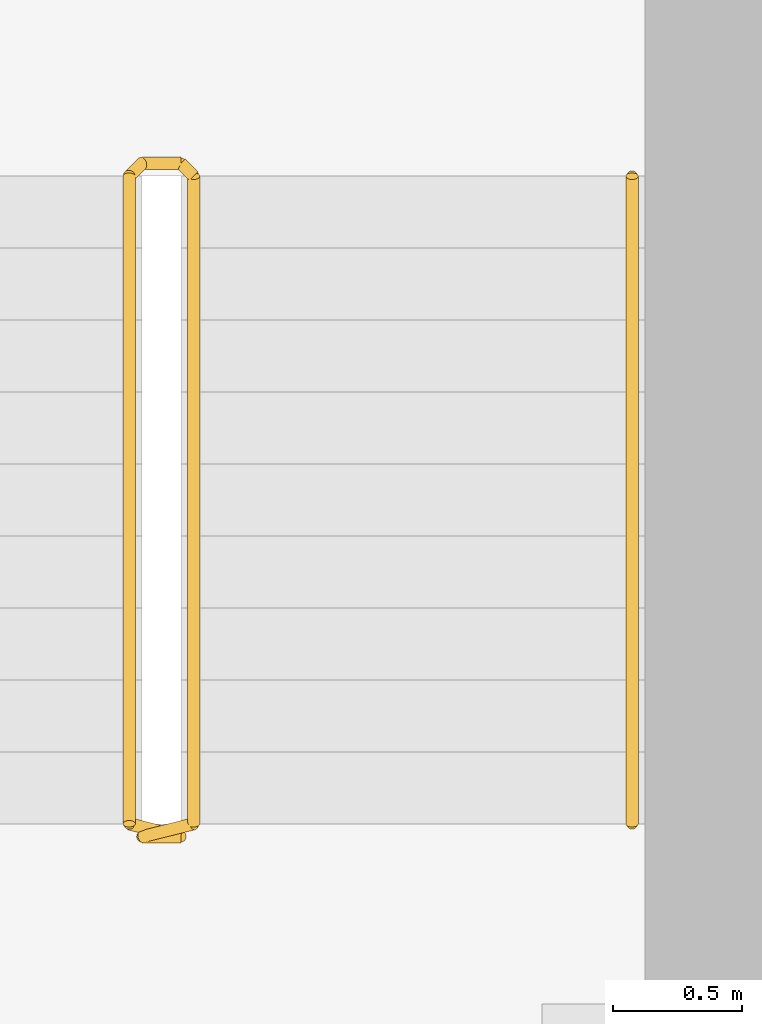
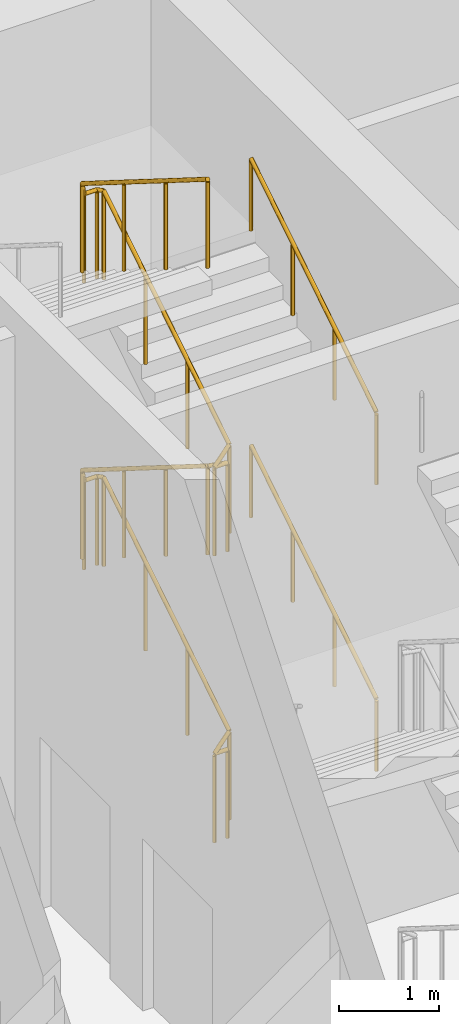
# One storey, part 17 of 17: 3 railings.
"""IFC4 building model written with IfcOpenShell, lengths in metres."""

from ifc_helpers import new_model, si_unit, direction, frame, origin, origin_2d, place, context, subcontext, project, spatial, circle, extrude, material, type_object, element, save


model = new_model("IFC4")

# Units and contexts
model_context = context("Model", 3, precision=1e-05, world=origin(), true_north=direction((0.0, 1.0)))
body_context = subcontext(model_context, "Body", "Model", "MODEL_VIEW")
ifc_project = project(units=[si_unit("LENGTHUNIT", "METRE"), si_unit("AREAUNIT", "SQUARE_METRE"), si_unit("VOLUMEUNIT", "CUBIC_METRE"), si_unit("PLANEANGLEUNIT", "RADIAN"), si_unit("MASSUNIT", "GRAM", prefix="KILO")], contexts=[model_context])

# Site, building, storey
site_placement = place(None, origin())
site = spatial("IfcSite", under=ifc_project, at=site_placement, CompositionType="ELEMENT")
building_placement = place(site_placement, origin())
building = spatial("IfcBuilding", under=site, at=building_placement, Name="Calabash Gate Tower", CompositionType="ELEMENT")
storey_placement = place(building_placement, frame((0.0, 0.0, 132.60009765625)))
storey = spatial("IfcBuildingStorey", under=building, at=storey_placement, Name="L31", CompositionType="ELEMENT", Elevation=132.60009765625)

# Railings
ifc_material_1 = material(Name="Black powder-coated steel balusters", Category="steel")
railing_type_1 = type_object("IfcRailingType", Name="Stair guard RL1100", PredefinedType="GUARDRAIL", material=ifc_material_1)
railing_placement = place(storey_placement, frame((10.300048828125, 13.902587890625, 0.0)))
element("IfcRailing", 1, at=railing_placement, inside=storey, type_object=railing_type_1, Name="L31 ST3 stair guard 1", PredefinedType="GUARDRAIL", context=body_context, shape_type="SweptSolid", body=[
    extrude(circle(Radius=0.02392578125, at=origin_2d()), frame((0.0, 0.0, 1.076171875), z_axis=(-1.0, 0.0, 0.0), x_axis=(0.0, -1.0, 0.0)), (0.0, 0.0, 1.0), 0.150146484375),
    extrude(circle(Radius=0.02392578125, at=origin_2d()), frame((-0.150146484375, 0.0, 1.076171875), z_axis=(0.740247989607, 0.185061997402, 0.64636287873), x_axis=(-0.242535625036, 0.970142500145, 0.0)), (0.0, 0.0, 1.0), 0.2705078125),
    extrude(circle(Radius=0.02392578125, at=origin_2d()), frame((0.050048828125, 0.050048828125, 1.2509765625), z_axis=(0.0, 0.84711333194, 0.531412272016), x_axis=(-1.0, 0.0, 0.0)), (0.0, 0.0, 1.0), 2.964111328125),
    extrude(circle(Radius=0.02392578125, at=origin_2d()), frame((0.050048828125, 2.56103515625, 2.826171875), z_axis=(-0.707106781187, 0.707106781187, 0.0), x_axis=(-0.707106781187, -0.707106781187, 0.0)), (0.0, 0.0, 1.0), 0.07080078125),
    extrude(circle(Radius=0.02392578125, at=origin_2d()), frame((0.0, 2.611083984375, 2.826171875), z_axis=(-1.0, 0.0, 0.0), x_axis=(0.0, -1.0, 0.0)), (0.0, 0.0, 1.0), 0.150146484375),
    extrude(circle(Radius=0.02392578125, at=origin_2d()), frame((-0.150146484375, 2.611083984375, 2.826171875), z_axis=(-0.264179342666, -0.265474339444, 0.927217692888), x_axis=(0.708833529934, -0.705375805398, 0.0)), (0.0, 0.0, 1.0), 0.1884765625),
    extrude(circle(Radius=0.02392578125, at=origin_2d()), frame((-0.199951171875, 2.56103515625, 3.0009765625), z_axis=(0.0, -0.84711333194, 0.531412272016), x_axis=(1.0, 0.0, 0.0)), (0.0, 0.0, 1.0), 2.964111328125),
    extrude(circle(Radius=0.02392578125, at=origin_2d()), frame((-0.199951171875, 0.050048828125, 4.576171875), z_axis=(0.970072785993, -0.242814311512, 0.0), x_axis=(0.242814311512, 0.970072785993, 0.0)), (0.0, 0.0, 1.0), 0.2060546875),
    extrude(circle(Radius=0.02392578125, at=origin_2d()), frame((0.0, 0.0, 4.576171875), z_axis=(-1.0, 0.0, 0.0), x_axis=(0.0, -1.0, 0.0)), (0.0, 0.0, 1.0), 0.150146484375),
    extrude(circle(Radius=0.02392578125, at=origin_2d()), frame((-0.150146484375, 0.0, 4.576171875), z_axis=(0.740247989607, 0.185061997402, 0.64636287873), x_axis=(-0.242535625036, 0.970142500145, 0.0)), (0.0, 0.0, 1.0), 0.2705078125),
    extrude(circle(Radius=0.02392578125, at=origin_2d()), frame((0.050048828125, 0.050048828125, 4.7509765625), z_axis=(0.0, 0.84711333194, 0.531412272016), x_axis=(-1.0, 0.0, 0.0)), (0.0, 0.0, 1.0), 2.964111328125),
    extrude(circle(Radius=0.02392578125, at=origin_2d()), frame((0.050048828125, 2.56103515625, 6.326171875), z_axis=(-0.707106781187, 0.707106781187, 0.0), x_axis=(-0.707106781187, -0.707106781187, 0.0)), (0.0, 0.0, 1.0), 0.07080078125),
    extrude(circle(Radius=0.02392578125, at=origin_2d()), frame((0.0, 2.611083984375, 6.326171875), z_axis=(-1.0, 0.0, 0.0), x_axis=(0.0, -1.0, 0.0)), (0.0, 0.0, 1.0), 0.150146484375),
    extrude(circle(Radius=0.02392578125, at=origin_2d()), frame((-0.150146484375, 2.611083984375, 6.326171875), z_axis=(-0.264179342666, -0.265474339444, 0.927217692888), x_axis=(0.708833529934, -0.705375805398, 0.0)), (0.0, 0.0, 1.0), 0.1884765625),
    extrude(circle(Radius=0.02392578125, at=origin_2d()), frame((-0.199951171875, 2.56103515625, 6.5009765625), z_axis=(0.0, -0.84711333194, 0.531412272016), x_axis=(1.0, 0.0, 0.0)), (0.0, 0.0, 1.0), 2.964111328125),
    extrude(circle(Radius=0.02099609375, at=origin_2d()), origin(), (0.0, 0.0, 1.0), 1.052001953125),
    extrude(circle(Radius=0.02099609375, at=origin_2d()), frame((-0.150146484375, 0.0, 0.0)), (0.0, 0.0, 1.0), 1.052001953125),
    extrude(circle(Radius=0.02099609375, at=origin_2d()), frame((0.050048828125, 0.050048828125, 0.1748046875)), (0.0, 0.0, 1.0), 1.052001953125),
    extrude(circle(Radius=0.02099609375, at=origin_2d()), frame((0.050048828125, 0.886962890625, 0.699951171875)), (0.0, 0.0, 1.0), 1.052001953125),
    extrude(circle(Radius=0.02099609375, at=origin_2d()), frame((0.050048828125, 1.72412109375, 1.224853515625)), (0.0, 0.0, 1.0), 1.052001953125),
    extrude(circle(Radius=0.02099609375, at=origin_2d()), frame((0.050048828125, 2.56103515625, 1.75)), (0.0, 0.0, 1.0), 1.052001953125),
    extrude(circle(Radius=0.02099609375, at=origin_2d()), frame((0.0, 2.611083984375, 1.75)), (0.0, 0.0, 1.0), 1.052001953125),
    extrude(circle(Radius=0.02099609375, at=origin_2d()), frame((-0.150146484375, 2.611083984375, 1.75)), (0.0, 0.0, 1.0), 1.052001953125),
    extrude(circle(Radius=0.02099609375, at=origin_2d()), frame((-0.199951171875, 2.56103515625, 1.9248046875)), (0.0, 0.0, 1.0), 1.052001953125),
    extrude(circle(Radius=0.02099609375, at=origin_2d()), frame((-0.199951171875, 1.72412109375, 2.449951171875)), (0.0, 0.0, 1.0), 1.052001953125),
    extrude(circle(Radius=0.02099609375, at=origin_2d()), frame((-0.199951171875, 0.886962890625, 2.974853515625)), (0.0, 0.0, 1.0), 1.052001953125),
    extrude(circle(Radius=0.02099609375, at=origin_2d()), frame((-0.199951171875, 0.050048828125, 3.5)), (0.0, 0.0, 1.0), 1.052001953125),
    extrude(circle(Radius=0.02099609375, at=origin_2d()), frame((0.0, 0.0, 3.5)), (0.0, 0.0, 1.0), 1.052001953125),
    extrude(circle(Radius=0.02099609375, at=origin_2d()), frame((-0.150146484375, 0.0, 3.5)), (0.0, 0.0, 1.0), 1.052001953125),
    extrude(circle(Radius=0.02099609375, at=origin_2d()), frame((0.050048828125, 0.050048828125, 3.6748046875)), (0.0, 0.0, 1.0), 1.052001953125),
    extrude(circle(Radius=0.02099609375, at=origin_2d()), frame((0.050048828125, 0.886962890625, 4.199951171875)), (0.0, 0.0, 1.0), 1.052001953125),
    extrude(circle(Radius=0.02099609375, at=origin_2d()), frame((0.050048828125, 1.72412109375, 4.724853515625)), (0.0, 0.0, 1.0), 1.052001953125),
    extrude(circle(Radius=0.02099609375, at=origin_2d()), frame((0.050048828125, 2.56103515625, 5.25)), (0.0, 0.0, 1.0), 1.052001953125),
    extrude(circle(Radius=0.02099609375, at=origin_2d()), frame((0.0, 2.611083984375, 5.25)), (0.0, 0.0, 1.0), 1.052001953125),
    extrude(circle(Radius=0.02099609375, at=origin_2d()), frame((-0.150146484375, 2.611083984375, 5.25)), (0.0, 0.0, 1.0), 1.052001953125),
    extrude(circle(Radius=0.02099609375, at=origin_2d()), frame((-0.199951171875, 2.56103515625, 5.4248046875)), (0.0, 0.0, 1.0), 1.052001953125),
    extrude(circle(Radius=0.02099609375, at=origin_2d()), frame((-0.199951171875, 1.72412109375, 5.949951171875)), (0.0, 0.0, 1.0), 1.052001953125),
    extrude(circle(Radius=0.02099609375, at=origin_2d()), frame((-0.199951171875, 0.886962890625, 6.474853515625)), (0.0, 0.0, 1.0), 1.052001953125),
    extrude(circle(Radius=0.02099609375, at=origin_2d()), frame((-0.199951171875, 0.050048828125, 7.0)), (0.0, 0.0, 1.0), 1.052001953125),
])
ifc_material_2 = material(Name="Black powder-coated steel tube 48 mm", Category="steel")
railing_type_2 = type_object("IfcRailingType", Name="Stair handrail RL900", PredefinedType="HANDRAIL", material=ifc_material_2)
for number, where, name in (
    (2, (12.050048828125, 13.95263671875, 0.1748046875), "L31 ST3 stair handrail 1"),
    (3, (12.050048828125, 13.95263671875, 3.6748046875), "L31 ST3 stair handrail 3"),
):
    element("IfcRailing", number, at=place(storey_placement, frame(where)), inside=storey, type_object=railing_type_2, Name=name, PredefinedType="HANDRAIL", context=body_context, shape_type="SweptSolid", body=[
        extrude(circle(Radius=0.02392578125, at=origin_2d()), frame((0.0, 0.0, 0.8759765625), z_axis=(0.0, 0.84711333194, 0.531412272016), x_axis=(-1.0, 0.0, 0.0)), (0.0, 0.0, 1.0), 2.964111328125),
        extrude(circle(Radius=0.02099609375, at=origin_2d()), origin(), (0.0, 0.0, 1.0), 0.851806640625),
        extrude(circle(Radius=0.02099609375, at=origin_2d()), frame((0.0, 0.8369140625, 0.525146484375)), (0.0, 0.0, 1.0), 0.851806640625),
        extrude(circle(Radius=0.02099609375, at=origin_2d()), frame((0.0, 1.674072265625, 1.050048828125)), (0.0, 0.0, 1.0), 0.851806640625),
        extrude(circle(Radius=0.02099609375, at=origin_2d()), frame((0.0, 2.510986328125, 1.5751953125)), (0.0, 0.0, 1.0), 0.851806640625),
    ])

save(model, "model.ifc")
